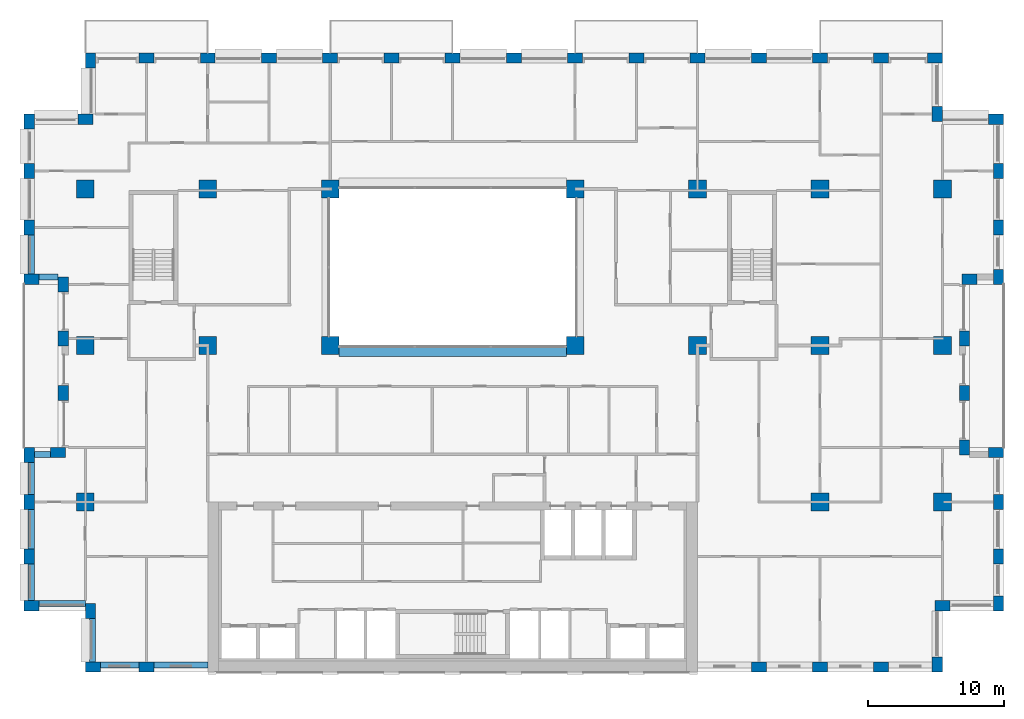
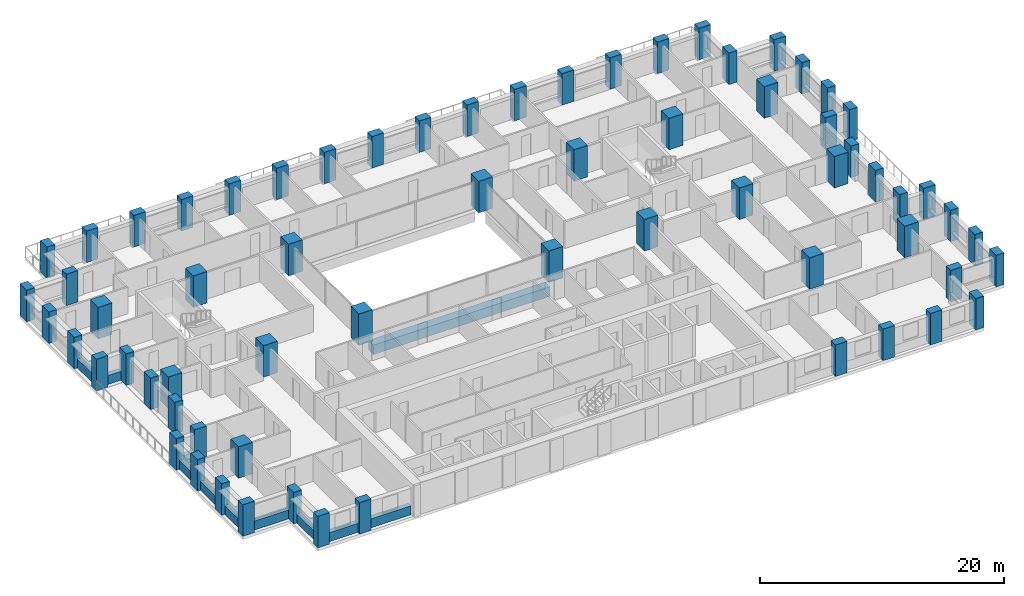
# One storey, part 1 of 17: 66 columns, 11 beams.
"""IFC4 building model written with IfcOpenShell, lengths in metres."""

from ifc_helpers import new_model, si_unit, direction, frame, origin, origin_2d, place, context, subcontext, project, spatial, rectangle, extrude, material, material_profile, profile_set, type_object, element, save


model = new_model("IFC4")

# Units and contexts
model_context = context("Model", 3, precision=1e-05, world=origin(), true_north=direction((0.0, 1.0)))
body_context = subcontext(model_context, "Body", "Model", "MODEL_VIEW")
ifc_project = project(units=[si_unit("LENGTHUNIT", "METRE"), si_unit("AREAUNIT", "SQUARE_METRE"), si_unit("VOLUMEUNIT", "CUBIC_METRE"), si_unit("PLANEANGLEUNIT", "RADIAN"), si_unit("MASSUNIT", "GRAM", prefix="KILO")], contexts=[model_context])

# Site, building, storey
site_placement = place(None, origin())
site = spatial("IfcSite", under=ifc_project, at=site_placement, CompositionType="ELEMENT")
building_placement = place(site_placement, origin())
building = spatial("IfcBuilding", under=site, at=building_placement, Name="Brigalow Station Residences", CompositionType="ELEMENT")
storey_placement = place(building_placement, frame((0.0, 0.0, 127.64990234375)))
storey = spatial("IfcBuildingStorey", under=building, at=storey_placement, Name="L37", CompositionType="ELEMENT", Elevation=127.64990234375)

# Columns
ifc_material_1 = material(Name="Concrete C65", Category="concrete")
ifc_material_profile_1 = material_profile(ifc_material_1, rectangle(XDim=1.300048828125, YDim=1.300048828125, at=origin_2d()), Name="RC1300x1300")
ifc_profile_set_1 = profile_set([ifc_material_profile_1], Name="Concrete C65")
column_type_1 = type_object("IfcColumnType", Name="COLUMN 1300x1300 C65", PredefinedType="COLUMN", material=ifc_profile_set_1)
for number, where, z_axis, x_axis, name in (
    (1, (9.0, 24.0, 0.0), (0.0, 0.0, 1.0), (1.0, 0.0, 0.0), "COLUMN C1 L37"),
    (2, (18.0, 24.0, 0.0), (0.0, 0.0, 1.0), (1.0, 0.0, 0.0), "COLUMN C2 L37"),
    (3, (27.0, 24.0, 0.0), (0.0, 0.0, 1.0), (1.0, 0.0, 0.0), "COLUMN C3 L37"),
    (4, (45.0, 24.0, 0.0), (0.0, 0.0, 1.0), (1.0, 0.0, 0.0), "COLUMN C5 L37"),
    (5, (54.0, 24.0, 0.0), (0.0, 0.0, 1.0), (1.0, 0.0, 0.0), "COLUMN C6 L37"),
    (6, (63.0, 24.0, 0.0), (0.0, 0.0, 1.0), (1.0, 0.0, 0.0), "COLUMN C7 L37"),
    (7, (72.0, 24.0, 0.0), (0.0, 0.0, 1.0), (1.0, 0.0, 0.0), "COLUMN C8 L37"),
    (8, (9.0, 35.5, 0.0), (0.0, 0.0, 1.0), (1.0, 0.0, 0.0), "COLUMN D1 L37"),
    (9, (18.0, 35.5, 0.0), (0.0, 0.0, 1.0), (1.0, 0.0, 0.0), "COLUMN D2 L37"),
    (10, (27.0, 35.5, 0.0), (0.0, 0.0, 1.0), (1.0, 0.0, 0.0), "COLUMN D3 L37"),
    (11, (45.0, 35.5, 0.0), (0.0, 0.0, 1.0), (1.0, 0.0, 0.0), "COLUMN D5 L37"),
    (12, (54.0, 35.5, 0.0), (0.0, 0.0, 1.0), (1.0, 0.0, 0.0), "COLUMN D6 L37"),
    (13, (63.0, 35.5, 0.0), (0.0, 0.0, 1.0), (1.0, 0.0, 0.0), "COLUMN D7 L37"),
    (14, (72.0, 35.5, 0.0), (0.0, 0.0, 1.0), (1.0, 0.0, 0.0), "COLUMN D8 L37"),
    (15, (9.0, 12.5, 0.0), (0.0, 0.0, 1.0), (1.0, 0.0, 0.0), "COLUMN B1 L37"),
    (16, (63.0, 12.5, 0.0), (0.0, 0.0, 1.0), (1.0, 0.0, 0.0), "COLUMN B7 L37"),
    (17, (72.0, 12.5, 0.0), (0.0, 0.0, 1.0), (1.0, 0.0, 0.0), "COLUMN B8 L37"),
):
    element("IfcColumn", number, at=place(storey_placement, frame(where, z_axis=z_axis, x_axis=x_axis)), inside=storey, type_object=column_type_1, Name=name, PredefinedType="COLUMN", context=body_context, shape_type="SweptSolid", body=[
        extrude(rectangle(XDim=1.300048828125, YDim=1.300048828125, at=origin_2d()), origin(), (0.0, 0.0, 1.0), 3.150146484375),
    ])
ifc_material_2 = material(Name="Concrete C65", Category="concrete")
ifc_material_profile_2 = material_profile(ifc_material_2, rectangle(XDim=1.10009765625, YDim=0.75, at=origin_2d()), Name="RC1100x750")
ifc_profile_set_2 = profile_set([ifc_material_profile_2], Name="Concrete C65")
column_type_2 = type_object("IfcColumnType", Name="PIER 1100x750 C65", PredefinedType="USERDEFINED", material=ifc_profile_set_2)
for number, where, z_axis, x_axis, name in (
    (18, (9.550048828125, 0.375, 0.0), (0.0, 0.0, 1.0), (1.0, 0.0, 0.0), "PIER S-1 L37"),
    (19, (13.5, 0.375, 0.0), (0.0, 0.0, 1.0), (1.0, 0.0, 0.0), "PIER S-2 L37"),
    (20, (58.5, 0.375, 0.0), (0.0, 0.0, 1.0), (1.0, 0.0, 0.0), "PIER S-12 L37"),
    (21, (63.0, 0.375, 0.0), (0.0, 0.0, 1.0), (1.0, 0.0, 0.0), "PIER S-13 L37"),
    (22, (67.5, 0.375, 0.0), (0.0, 0.0, 1.0), (1.0, 0.0, 0.0), "PIER S-14 L37"),
    (23, (71.625, 0.550048828125, 0.0), (0.0, 0.0, 1.0), (0.0, 1.0, 0.0), "PIER SE1-1 L37"),
    (24, (72.0, 4.875, 0.0), (0.0, 0.0, 1.0), (1.0, 0.0, 0.0), "PIER SE2-1 L37"),
    (25, (76.125, 5.050048828125, 0.0), (0.0, 0.0, 1.0), (0.0, 1.0, 0.0), "PIER E1-1 L37"),
    (26, (76.125, 8.5, 0.0), (0.0, 0.0, 1.0), (0.0, 1.0, 0.0), "PIER E1-2 L37"),
    (27, (76.125, 12.5, 0.0), (0.0, 0.0, 1.0), (0.0, 1.0, 0.0), "PIER E1-3 L37"),
    (28, (75.949951171875, 16.125, 0.0), (0.0, 0.0, 1.0), (-1.0, 0.0, 0.0), "PIER EL1-1 L37"),
    (29, (73.625, 16.5, 0.0), (0.0, 0.0, 1.0), (0.0, 1.0, 0.0), "PIER EL2-1 L37"),
    (30, (73.625, 20.5, 0.0), (0.0, 0.0, 1.0), (0.0, 1.0, 0.0), "PIER EL2-2 L37"),
    (31, (73.625, 24.5, 0.0), (0.0, 0.0, 1.0), (0.0, 1.0, 0.0), "PIER EL2-3 L37"),
    (32, (74.0, 28.875, 0.0), (0.0, 0.0, 1.0), (1.0, 0.0, 0.0), "PIER EL3-1 L37"),
    (33, (76.125, 29.050048828125, 0.0), (0.0, 0.0, 1.0), (0.0, 1.0, 0.0), "PIER E2-1 L37"),
    (34, (76.125, 32.6669921875, 0.0), (0.0, 0.0, 1.0), (0.0, 1.0, 0.0), "PIER E2-2 L37"),
    (35, (76.125, 36.8330078125, 0.0), (0.0, 0.0, 1.0), (0.0, 1.0, 0.0), "PIER E2-3 L37"),
    (36, (75.949951171875, 40.625, 0.0), (0.0, 0.0, 1.0), (-1.0, 0.0, 0.0), "PIER NE1-1 L37"),
    (37, (71.625, 41.0, 0.0), (0.0, 0.0, 1.0), (0.0, 1.0, 0.0), "PIER NE2-1 L37"),
    (38, (71.449951171875, 45.125, 0.0), (0.0, 0.0, 1.0), (-1.0, 0.0, 0.0), "PIER N-1 L37"),
    (39, (67.5, 45.125, 0.0), (0.0, 0.0, 1.0), (-1.0, 0.0, 0.0), "PIER N-2 L37"),
    (40, (63.0, 45.125, 0.0), (0.0, 0.0, 1.0), (-1.0, 0.0, 0.0), "PIER N-3 L37"),
    (41, (58.5, 45.125, 0.0), (0.0, 0.0, 1.0), (-1.0, 0.0, 0.0), "PIER N-4 L37"),
    (42, (54.0, 45.125, 0.0), (0.0, 0.0, 1.0), (-1.0, 0.0, 0.0), "PIER N-5 L37"),
    (43, (49.5, 45.125, 0.0), (0.0, 0.0, 1.0), (-1.0, 0.0, 0.0), "PIER N-6 L37"),
    (44, (45.0, 45.125, 0.0), (0.0, 0.0, 1.0), (-1.0, 0.0, 0.0), "PIER N-7 L37"),
    (45, (40.5, 45.125, 0.0), (0.0, 0.0, 1.0), (-1.0, 0.0, 0.0), "PIER N-8 L37"),
    (46, (36.0, 45.125, 0.0), (0.0, 0.0, 1.0), (-1.0, 0.0, 0.0), "PIER N-9 L37"),
    (47, (31.5, 45.125, 0.0), (0.0, 0.0, 1.0), (-1.0, 0.0, 0.0), "PIER N-10 L37"),
    (48, (27.0, 45.125, 0.0), (0.0, 0.0, 1.0), (-1.0, 0.0, 0.0), "PIER N-11 L37"),
    (49, (22.5, 45.125, 0.0), (0.0, 0.0, 1.0), (-1.0, 0.0, 0.0), "PIER N-12 L37"),
    (50, (18.0, 45.125, 0.0), (0.0, 0.0, 1.0), (-1.0, 0.0, 0.0), "PIER N-13 L37"),
    (51, (13.5, 45.125, 0.0), (0.0, 0.0, 1.0), (-1.0, 0.0, 0.0), "PIER N-14 L37"),
    (52, (9.375, 44.949951171875, 0.0), (0.0, 0.0, 1.0), (0.0, -1.0, 0.0), "PIER NW1-1 L37"),
    (53, (9.0, 40.625, 0.0), (0.0, 0.0, 1.0), (-1.0, 0.0, 0.0), "PIER NW2-1 L37"),
    (54, (4.875, 40.449951171875, 0.0), (0.0, 0.0, 1.0), (0.0, -1.0, 0.0), "PIER W2-1 L37"),
    (55, (4.875, 36.8330078125, 0.0), (0.0, 0.0, 1.0), (0.0, -1.0, 0.0), "PIER W2-2 L37"),
    (56, (4.875, 32.6669921875, 0.0), (0.0, 0.0, 1.0), (0.0, -1.0, 0.0), "PIER W2-3 L37"),
    (57, (5.050048828125, 28.875, 0.0), (0.0, 0.0, 1.0), (1.0, 0.0, 0.0), "PIER WL1-1 L37"),
    (58, (7.375, 28.5, 0.0), (0.0, 0.0, 1.0), (0.0, -1.0, 0.0), "PIER WL2-1 L37"),
    (59, (7.375, 24.5, 0.0), (0.0, 0.0, 1.0), (0.0, -1.0, 0.0), "PIER WL2-2 L37"),
    (60, (7.375, 20.5, 0.0), (0.0, 0.0, 1.0), (0.0, -1.0, 0.0), "PIER WL2-3 L37"),
    (61, (7.0, 16.125, 0.0), (0.0, 0.0, 1.0), (-1.0, 0.0, 0.0), "PIER WL3-1 L37"),
    (62, (4.875, 15.949951171875, 0.0), (0.0, 0.0, 1.0), (0.0, -1.0, 0.0), "PIER W1-1 L37"),
    (63, (4.875, 12.5, 0.0), (0.0, 0.0, 1.0), (0.0, -1.0, 0.0), "PIER W1-2 L37"),
    (64, (4.875, 8.5, 0.0), (0.0, 0.0, 1.0), (0.0, -1.0, 0.0), "PIER W1-3 L37"),
    (65, (5.050048828125, 4.875, 0.0), (0.0, 0.0, 1.0), (1.0, 0.0, 0.0), "PIER SW1-1 L37"),
    (66, (9.375, 4.5, 0.0), (0.0, 0.0, 1.0), (0.0, -1.0, 0.0), "PIER SW2-1 L37"),
):
    element("IfcColumn", number, at=place(storey_placement, frame(where, z_axis=z_axis, x_axis=x_axis)), inside=storey, type_object=column_type_2, Name=name, ObjectType="PIER", PredefinedType="USERDEFINED", context=body_context, shape_type="SweptSolid", body=[
        extrude(rectangle(XDim=1.10009765625, YDim=0.75, at=origin_2d()), origin(), (0.0, 0.0, 1.0), 3.150146484375),
    ])

# Beams
ifc_material_3 = material(Name="Concrete C65", Category="concrete")
ifc_material_profile_3 = material_profile(ifc_material_3, rectangle(XDim=0.800048828125, YDim=0.949951171875, at=origin_2d()), Name="RC800x950")
ifc_profile_set_3 = profile_set([ifc_material_profile_3], Name="Concrete C65")
beam_type_1 = type_object("IfcBeamType", Name="ATRIUM EDGE GIRDER OVER 13.5 M SPAN 800x950 C65", PredefinedType="BEAM", material=ifc_profile_set_3)
beam_1_placement = place(storey_placement, frame((27.64990234375, 23.60009765625, -0.794921875), z_axis=(1.0, 0.0, 0.0), x_axis=(0.0, 1.0, 0.0)))
element("IfcBeam", 67, at=beam_1_placement, inside=storey, type_object=beam_type_1, Name="ATRIUM EDGE GIRDER C L37", PredefinedType="BEAM", context=body_context, shape_type="SweptSolid", body=[
    extrude(rectangle(XDim=0.800048828125, YDim=0.949951171875, at=origin_2d()), origin(), (0.0, 0.0, 1.0), 16.7001953125),
])
ifc_material_4 = material(Name="Concrete C65", Category="concrete")
ifc_material_profile_4 = material_profile(ifc_material_4, rectangle(XDim=0.449951171875, YDim=0.89990234375, at=origin_2d()), Name="RC450x900")
ifc_profile_set_4 = profile_set([ifc_material_profile_4], Name="Concrete C65")
beam_type_2 = type_object("IfcBeamType", Name="SPANDREL BEAM 450x900 C65", PredefinedType="SPANDREL", material=ifc_profile_set_4)
beam_2_placement = place(storey_placement, frame((10.10009765625, 0.52490234375, 0.4501953125), z_axis=(1.0, 0.0, 0.0), x_axis=(0.0, 1.0, 0.0)))
element("IfcBeam", 68, at=beam_2_placement, inside=storey, type_object=beam_type_2, Name="L37/spandrel/W-L37-1", PredefinedType="SPANDREL", context=body_context, shape_type="SweptSolid", body=[
    extrude(rectangle(XDim=0.449951171875, YDim=0.89990234375, at=origin_2d()), origin(), (0.0, 0.0, 1.0), 2.849853515625),
])
beam_3_placement = place(storey_placement, frame((14.050048828125, 0.52490234375, 0.4501953125), z_axis=(1.0, 0.0, 0.0), x_axis=(0.0, 1.0, 0.0)))
element("IfcBeam", 69, at=beam_3_placement, inside=storey, type_object=beam_type_2, Name="L37/spandrel/W-L37-2", PredefinedType="SPANDREL", context=body_context, shape_type="SweptSolid", body=[
    extrude(rectangle(XDim=0.449951171875, YDim=0.89990234375, at=origin_2d()), origin(), (0.0, 0.0, 1.0), 3.949951171875),
])
beam_4_placement = place(storey_placement, frame((5.02490234375, 32.116943359375, 0.4501953125), z_axis=(0.0, -1.0, 0.0), x_axis=(1.0, 0.0, 0.0)))
element("IfcBeam", 70, at=beam_4_placement, inside=storey, type_object=beam_type_2, Name="L37/spandrel/W-L37-41", PredefinedType="SPANDREL", context=body_context, shape_type="SweptSolid", body=[
    extrude(rectangle(XDim=0.449951171875, YDim=0.89990234375, at=origin_2d()), origin(), (0.0, 0.0, 1.0), 2.866943359375),
])
beam_5_placement = place(storey_placement, frame((5.60009765625, 29.02490234375, 0.4501953125), z_axis=(1.0, 0.0, 0.0), x_axis=(0.0, 1.0, 0.0)))
element("IfcBeam", 71, at=beam_5_placement, inside=storey, type_object=beam_type_2, Name="L37/spandrel/W-L37-42", PredefinedType="SPANDREL", context=body_context, shape_type="SweptSolid", body=[
    extrude(rectangle(XDim=0.449951171875, YDim=0.89990234375, at=origin_2d()), origin(), (0.0, 0.0, 1.0), 1.39990234375),
])
beam_6_placement = place(storey_placement, frame((6.449951171875, 15.97509765625, 0.4501953125), z_axis=(-1.0, 0.0, 0.0), x_axis=(0.0, -1.0, 0.0)))
element("IfcBeam", 72, at=beam_6_placement, inside=storey, type_object=beam_type_2, Name="L37/spandrel/W-L37-46", PredefinedType="SPANDREL", context=body_context, shape_type="SweptSolid", body=[
    extrude(rectangle(XDim=0.449951171875, YDim=0.89990234375, at=origin_2d()), origin(), (0.0, 0.0, 1.0), 1.199951171875),
])
beam_7_placement = place(storey_placement, frame((5.02490234375, 15.39990234375, 0.4501953125), z_axis=(0.0, -1.0, 0.0), x_axis=(1.0, 0.0, 0.0)))
element("IfcBeam", 73, at=beam_7_placement, inside=storey, type_object=beam_type_2, Name="L37/spandrel/W-L37-47", PredefinedType="SPANDREL", context=body_context, shape_type="SweptSolid", body=[
    extrude(rectangle(XDim=0.449951171875, YDim=0.89990234375, at=origin_2d()), origin(), (0.0, 0.0, 1.0), 2.349853515625),
])
beam_8_placement = place(storey_placement, frame((5.02490234375, 11.949951171875, 0.4501953125), z_axis=(0.0, -1.0, 0.0), x_axis=(1.0, 0.0, 0.0)))
element("IfcBeam", 74, at=beam_8_placement, inside=storey, type_object=beam_type_2, Name="L37/spandrel/W-L37-48", PredefinedType="SPANDREL", context=body_context, shape_type="SweptSolid", body=[
    extrude(rectangle(XDim=0.449951171875, YDim=0.89990234375, at=origin_2d()), origin(), (0.0, 0.0, 1.0), 2.89990234375),
])
beam_9_placement = place(storey_placement, frame((5.02490234375, 7.949951171875, 0.4501953125), z_axis=(0.0, -1.0, 0.0), x_axis=(1.0, 0.0, 0.0)))
element("IfcBeam", 75, at=beam_9_placement, inside=storey, type_object=beam_type_2, Name="L37/spandrel/W-L37-49", PredefinedType="SPANDREL", context=body_context, shape_type="SweptSolid", body=[
    extrude(rectangle(XDim=0.449951171875, YDim=0.89990234375, at=origin_2d()), origin(), (0.0, 0.0, 1.0), 2.699951171875),
])
beam_10_placement = place(storey_placement, frame((5.60009765625, 5.02490234375, 0.4501953125), z_axis=(1.0, 0.0, 0.0), x_axis=(0.0, 1.0, 0.0)))
element("IfcBeam", 76, at=beam_10_placement, inside=storey, type_object=beam_type_2, Name="L37/spandrel/W-L37-50", PredefinedType="SPANDREL", context=body_context, shape_type="SweptSolid", body=[
    extrude(rectangle(XDim=0.449951171875, YDim=0.89990234375, at=origin_2d()), origin(), (0.0, 0.0, 1.0), 3.39990234375),
])
beam_11_placement = place(storey_placement, frame((9.52490234375, 3.949951171875, 0.4501953125), z_axis=(0.0, -1.0, 0.0), x_axis=(1.0, 0.0, 0.0)))
element("IfcBeam", 77, at=beam_11_placement, inside=storey, type_object=beam_type_2, Name="L37/spandrel/W-L37-51", PredefinedType="SPANDREL", context=body_context, shape_type="SweptSolid", body=[
    extrude(rectangle(XDim=0.449951171875, YDim=0.89990234375, at=origin_2d()), origin(), (0.0, 0.0, 1.0), 3.199951171875),
])

save(model, "model.ifc")
